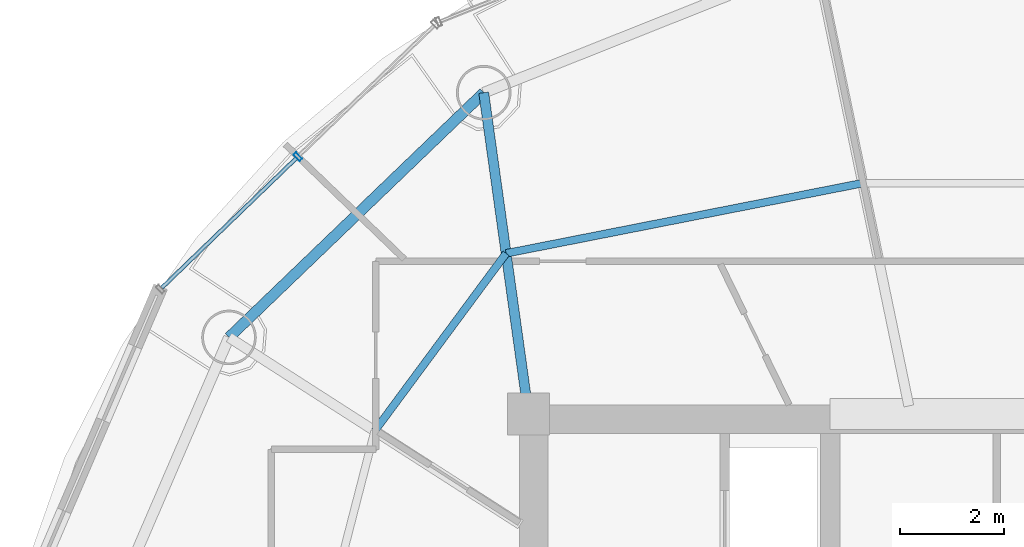
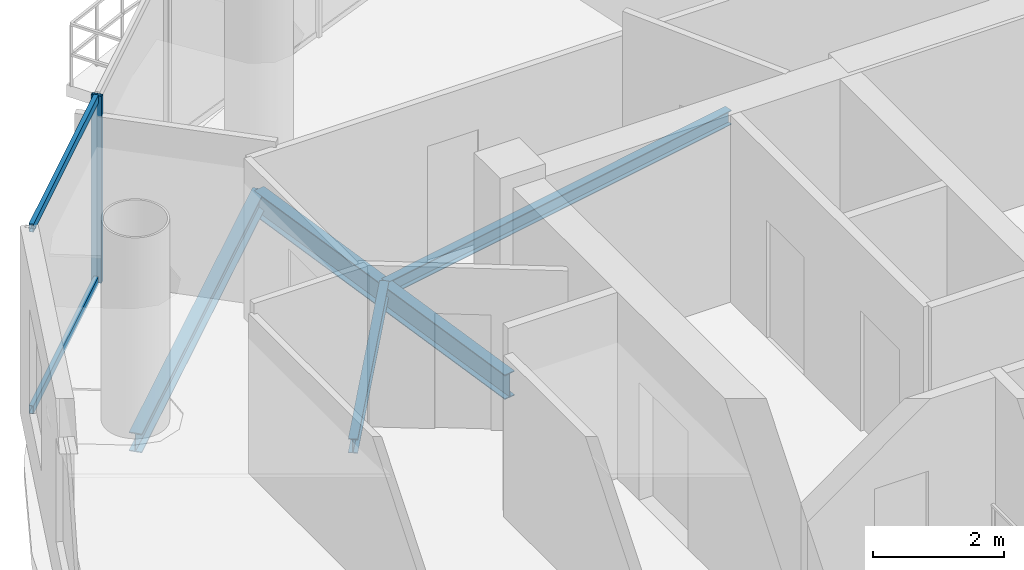
# One storey, part 9 of 24: 4 beams, 3 members, 1 element without a shape of its own.
"""IFC4 building model written with IfcOpenShell, lengths in metres."""

from ifc_helpers import new_model, si_unit, direction, frame, origin, origin_2d, place, context, subcontext, project, spatial, hollow_rectangle, i_section, extrude, source, transform, mapped, material, material_profile, profile_set, type_object, element, aggregate, save


model = new_model("IFC4")

# Units and contexts
model_context = context("Model", 3, precision=1e-05, world=origin(), true_north=direction((-0.2419218956, 0.970295726276)))
body_context = subcontext(model_context, "Body", "Model", "MODEL_VIEW")
ifc_project = project(units=[si_unit("LENGTHUNIT", "METRE"), si_unit("AREAUNIT", "SQUARE_METRE"), si_unit("VOLUMEUNIT", "CUBIC_METRE"), si_unit("PLANEANGLEUNIT", "RADIAN"), si_unit("MASSUNIT", "GRAM", prefix="KILO")], contexts=[model_context])

# Site, building, storey
site_placement = place(None, origin())
site = spatial("IfcSite", under=ifc_project, at=site_placement, CompositionType="ELEMENT")
building_placement = place(site_placement, origin())
building = spatial("IfcBuilding", under=site, at=building_placement, Name="Cobrevalo Terracotta Tower", CompositionType="ELEMENT")
storey_placement = place(building_placement, frame((0.0, 0.0, 270.699951171875)))
storey = spatial("IfcBuildingStorey", under=building, at=storey_placement, Name="L71", CompositionType="ELEMENT", Elevation=270.699951171875)

# Beams
ifc_material_1 = material(Name="Steel S355", Category="steel")
ifc_material_profile_1 = material_profile(ifc_material_1, i_section(OverallWidth=0.19091796875, OverallDepth=0.4599609375, WebThickness=0.010009765625, FlangeThickness=0.01611328125, at=origin_2d()), Name="W 460x82")
ifc_profile_set_1 = profile_set([ifc_material_profile_1], Name="Steel S355")
beam_type_1 = type_object("IfcBeamType", Name="Structural Beam W 460x82 (Steel S355)", PredefinedType="BEAM", material=ifc_profile_set_1)
beam_1_placement = place(storey_placement, frame((28.138671875, 40.9765625, -0.489990234375), z_axis=(0.138115657759, -0.990416107039, 0.0), x_axis=(0.990416107039, 0.138115657759, 0.0)))
element("IfcBeam", 1, at=beam_1_placement, inside=storey, type_object=beam_type_1, Name="L71 radial floor girder 06", PredefinedType="BEAM", context=body_context, shape_type="SweptSolid", body=[
    extrude(i_section(OverallWidth=0.19091796875, OverallDepth=0.4599609375, WebThickness=0.010009765625, FlangeThickness=0.01611328125, at=origin_2d()), origin(), (0.0, 0.0, 1.0), 6.236328125),
])
ifc_material_profile_2 = material_profile(ifc_material_1, i_section(OverallWidth=0.14794921875, OverallDepth=0.26611328125, WebThickness=0.007568359375, FlangeThickness=0.012939453125, at=origin_2d()), Name="W 250x44.8")
ifc_profile_set_2 = profile_set([ifc_material_profile_2], Name="Steel S355")
beam_type_2 = type_object("IfcBeamType", Name="Structural Joist W 250x44.8 (Steel S355)", PredefinedType="JOIST", material=ifc_profile_set_2)
beam_2_placement = place(storey_placement, frame((35.42431640625, 39.23876953125, -0.39306640625), z_axis=(-0.98113843359, -0.19330642548, 0.0), x_axis=(0.19330642548, -0.98113843359, 0.0)))
element("IfcBeam", 2, at=beam_2_placement, inside=storey, type_object=beam_type_2, Name="L71 circumferential secondary floor joist 05", PredefinedType="JOIST", context=body_context, shape_type="SweptSolid", body=[
    extrude(i_section(OverallWidth=0.14794921875, OverallDepth=0.26611328125, WebThickness=0.007568359375, FlangeThickness=0.012939453125, at=origin_2d()), origin(), (0.0, 0.0, 1.0), 6.98681640625),
])
beam_3_placement = place(storey_placement, frame((28.5693359375, 37.88818359375, -0.39306640625), z_axis=(-0.594799916617, -0.803873783123, 0.0), x_axis=(0.803873783123, -0.594799916617, 0.0)))
element("IfcBeam", 3, at=beam_3_placement, inside=storey, type_object=beam_type_2, Name="L71 circumferential secondary floor joist 06", PredefinedType="JOIST", context=body_context, shape_type="SweptSolid", body=[
    extrude(i_section(OverallWidth=0.14794921875, OverallDepth=0.26611328125, WebThickness=0.007568359375, FlangeThickness=0.012939453125, at=origin_2d()), origin(), (0.0, 0.0, 1.0), 4.2470703125),
])
ifc_material_profile_3 = material_profile(ifc_material_1, i_section(OverallWidth=0.205078125, OverallDepth=0.35400390625, WebThickness=0.009521484375, FlangeThickness=0.016845703125, at=origin_2d()), Name="W 360x79")
ifc_profile_set_3 = profile_set([ifc_material_profile_3], Name="Steel S355")
beam_type_3 = type_object("IfcBeamType", Name="Structural Spandrel W 360x79 (Steel S355)", PredefinedType="SPANDREL", material=ifc_profile_set_3)
beam_4_placement = place(storey_placement, frame((28.138671875, 40.9765625, -0.43701171875), z_axis=(-0.721183246144, -0.692744343522, 0.0), x_axis=(0.692744343522, -0.721183246144, 0.0)))
element("IfcBeam", 4, at=beam_4_placement, inside=storey, type_object=beam_type_3, Name="L71 perimeter ring spandrel 06", PredefinedType="SPANDREL", context=body_context, shape_type="SweptSolid", body=[
    extrude(i_section(OverallWidth=0.205078125, OverallDepth=0.35400390625, WebThickness=0.009521484375, FlangeThickness=0.016845703125, at=origin_2d()), origin(), (0.0, 0.0, 1.0), 6.79052734375),
])

# Curtain wall, members
ifc_material_2 = material(Name="Anodized aluminium", Category="aluminium")
curtain_wall_type = type_object("IfcCurtainWallType", Name="Upper-tower triple-glazed penthouse curtain wall CW-U3", PredefinedType="NOTDEFINED", material=ifc_material_2)
curtain_wall_placement = place(storey_placement, origin())
curtain_wall = element("IfcCurtainWall", 5, at=curtain_wall_placement, inside=storey, type_object=curtain_wall_type, Name="L71 curtain wall CW-L71-S06", PredefinedType="NOTDEFINED")
ifc_material_profile_4 = material_profile(ifc_material_2, hollow_rectangle(XDim=0.070068359375, YDim=0.169921875, WallThickness=0.00439453125, at=origin_2d()), Name="CWM 70x170")
ifc_profile_set_4 = profile_set([ifc_material_profile_4], Name="Anodized aluminium")
member_type_1 = type_object("IfcMemberType", Name="Upper tower unitised mullion 70x170", PredefinedType="MULLION", material=ifc_profile_set_4)
shared_shape_1 = source(origin(), body_context, "Body", "SweptSolid", [
    extrude(hollow_rectangle(XDim=0.070068359375, YDim=0.169921875, WallThickness=0.00439453125, at=origin_2d()), origin(), (0.0, 0.0, 1.0), 3.489990234375),
])
member_1_placement = place(storey_placement, frame((24.56640625, 39.748046875, 0.0), z_axis=(0.0, 0.0, 1.0), x_axis=(-0.71999418085, -0.69398010025, 0.0)))
member_1 = element("IfcMember", 6, at=member_1_placement, type_object=member_type_1, Name="CW-L71-S06 vertical mullion 02", PredefinedType="MULLION", context=body_context, shape_type="MappedRepresentation", body=[
    mapped(shared_shape_1, transform((0.0, 0.0, 0.0), scale=1.0)),
])
ifc_material_profile_5 = material_profile(ifc_material_2, hollow_rectangle(XDim=0.074951171875, YDim=0.14990234375, WallThickness=0.00439453125, at=origin_2d()), Name="CWT 75x150")
ifc_profile_set_5 = profile_set([ifc_material_profile_5], Name="Anodized aluminium")
member_type_2 = type_object("IfcMemberType", Name="Tower unitised aluminium transom 75x150", PredefinedType="USERDEFINED", material=ifc_profile_set_5)
shared_shape_2 = source(origin(), body_context, "Body", "SweptSolid", [
    extrude(hollow_rectangle(XDim=0.074951171875, YDim=0.14990234375, WallThickness=0.00439453125, at=origin_2d()), origin(), (0.0, 0.0, 1.0), 3.59130859375),
])
member_2_placement = place(storey_placement, frame((24.537841796875, 39.72021484375, 0.050048828125), z_axis=(-0.720005628362, -0.693968223427, 0.0), x_axis=(0.693968223427, -0.720005628362, 0.0)))
member_2 = element("IfcMember", 7, at=member_2_placement, type_object=member_type_2, Name="CW-L71-S06 transom B02-T1", ObjectType="TRANSOM", PredefinedType="USERDEFINED", context=body_context, shape_type="MappedRepresentation", body=[
    mapped(shared_shape_2, transform((0.0, 0.0, 0.0), scale=1.0)),
])
member_3_placement = place(storey_placement, frame((24.537841796875, 39.72021484375, 3.43994140625), z_axis=(-0.720005628362, -0.693968223427, 0.0), x_axis=(0.693968223427, -0.720005628362, 0.0)))
member_3 = element("IfcMember", 8, at=member_3_placement, type_object=member_type_2, Name="CW-L71-S06 transom B02-T2", ObjectType="TRANSOM", PredefinedType="USERDEFINED", context=body_context, shape_type="MappedRepresentation", body=[
    mapped(shared_shape_2, transform((0.0, 0.0, 0.0), scale=1.0)),
])
aggregate(curtain_wall, [member_1, member_2, member_3])

save(model, "model.ifc")
